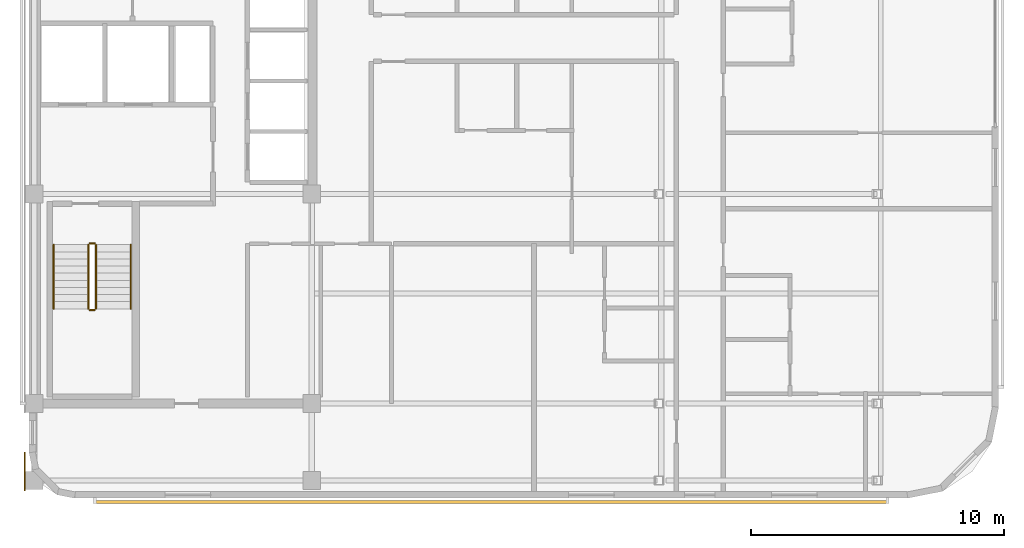
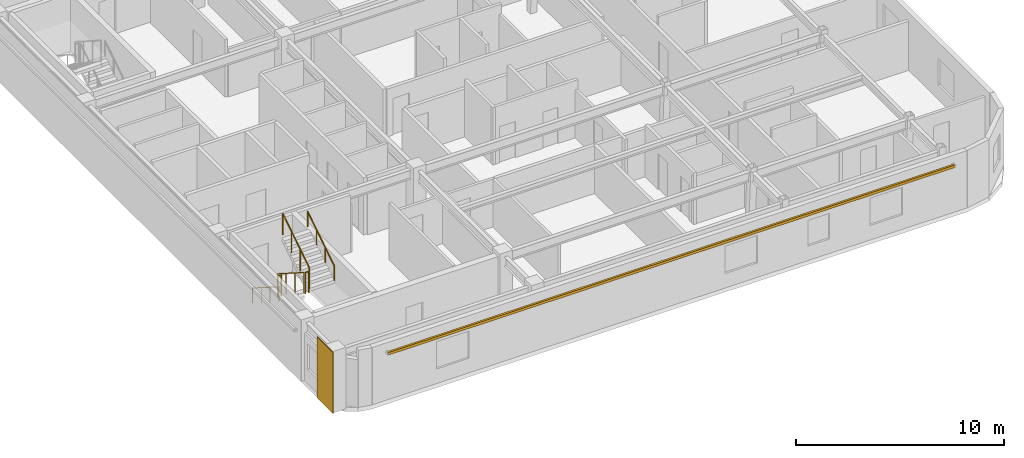
# One storey, part 8 of 10: 6 railings, 1 covering, 1 shading device.
"""IFC4 building model written with IfcOpenShell, lengths in metres."""

from ifc_helpers import new_model, si_unit, direction, frame, origin, origin_2d, place, context, subcontext, project, spatial, rectangle, circle, extrude, material, layer, layer_set, material_profile, profile_set, type_object, element, save


model = new_model("IFC4")

# Units and contexts
model_context = context("Model", 3, precision=1e-05, world=origin(), true_north=direction((0.0, 1.0)))
body_context = subcontext(model_context, "Body", "Model", "MODEL_VIEW")
ifc_project = project(units=[si_unit("LENGTHUNIT", "METRE"), si_unit("AREAUNIT", "SQUARE_METRE"), si_unit("VOLUMEUNIT", "CUBIC_METRE"), si_unit("PLANEANGLEUNIT", "RADIAN"), si_unit("MASSUNIT", "GRAM", prefix="KILO")], contexts=[model_context])

# Site, building, storey
site_placement = place(None, origin())
site = spatial("IfcSite", under=ifc_project, at=site_placement, CompositionType="ELEMENT")
building_placement = place(site_placement, origin())
building = spatial("IfcBuilding", under=site, at=building_placement, Name="Ochreholt Gables", CompositionType="ELEMENT")
storey_placement = place(building_placement, frame((0.0, 0.0, 256.800048828125)))
storey = spatial("IfcBuildingStorey", under=building, at=storey_placement, Name="L67", CompositionType="ELEMENT", Elevation=256.800048828125)

# Covering
ifc_material_1 = material(Name="Glazed Ochre Terracotta Rainscreen Cladding", Category="masonry")
ifc_layer = layer(ifc_material_1, 0.044921875, Name="Glazed Ochre Terracotta Rainscreen Cladding")
ifc_layer_set = layer_set([ifc_layer], Name="Glazed Ochre Terracotta Rainscreen Cladding")
covering_type = type_object("IfcCoveringType", Name="COV-CLAD-TC", PredefinedType="CLADDING", material=ifc_layer_set)
covering_placement = place(storey_placement, frame((23.827880859375, 6.56005859375, 0.010009765625), z_axis=(0.0, 0.0, 1.0), x_axis=(0.0, 1.0, 0.0)))
element("IfcCovering", 1, at=covering_placement, inside=storey, type_object=covering_type, Name="L67 South-West Pier Terracotta Cladding", PredefinedType="CLADDING", context=body_context, shape_type="SweptSolid", body=[
    extrude(rectangle(XDim=1.52001953125, YDim=0.044921875, at=origin_2d()), origin(), (0.0, 0.0, 1.0), 3.580078125),
])

# Railings
ifc_material_2 = material(Name="Painted Steel Stair Guardrail", Category="steel")
railing_type_1 = type_object("IfcRailingType", Name="RL-ST-GUARD", PredefinedType="GUARDRAIL", material=ifc_material_2)
railing_1_placement = place(storey_placement, frame((26.35009765625, 15.5400390625, 0.179931640625)))
element("IfcRailing", 2, at=railing_1_placement, inside=storey, type_object=railing_type_1, Name="L67 ST-1 stair guard 1", PredefinedType="GUARDRAIL", context=body_context, shape_type="SweptSolid", body=[
    extrude(circle(Radius=0.02392578125, at=origin_2d()), frame((0.0, 0.0, 1.22607421875), z_axis=(0.0, -0.842912820907, 0.538050161556), x_axis=(1.0, 0.0, 0.0)), (0.0, 0.0, 1.0), 3.010986328125),
    extrude(circle(Radius=0.02099609375, at=origin_2d()), origin(), (0.0, 0.0, 1.0), 1.201904296875),
    extrude(circle(Radius=0.02099609375, at=origin_2d()), frame((0.0, -0.845947265625, 0.5400390625)), (0.0, 0.0, 1.0), 1.201904296875),
    extrude(circle(Radius=0.02099609375, at=origin_2d()), frame((0.0, -1.692138671875, 1.080078125)), (0.0, 0.0, 1.0), 1.201904296875),
    extrude(circle(Radius=0.02099609375, at=origin_2d()), frame((0.0, -2.5380859375, 1.6201171875)), (0.0, 0.0, 1.0), 1.201904296875),
])
railing_2_placement = place(storey_placement, frame((26.39990234375, 12.951904296875, 1.800048828125)))
element("IfcRailing", 3, at=railing_2_placement, inside=storey, type_object=railing_type_1, Name="L67 ST-1 stair guard 2", PredefinedType="GUARDRAIL", context=body_context, shape_type="SweptSolid", body=[
    extrude(circle(Radius=0.02392578125, at=origin_2d()), frame((0.0, 0.0, 1.22607421875), z_axis=(1.0, 0.0, 0.0), x_axis=(0.0, 1.0, 0.0)), (0.0, 0.0, 1.0), 0.2001953125),
    extrude(circle(Radius=0.02099609375, at=origin_2d()), origin(), (0.0, 0.0, 1.0), 1.201904296875),
    extrude(circle(Radius=0.02099609375, at=origin_2d()), frame((0.2001953125, 0.0, 0.0)), (0.0, 0.0, 1.0), 1.201904296875),
])
railing_3_placement = place(storey_placement, frame((26.64990234375, 13.001953125, 1.97998046875)))
element("IfcRailing", 4, at=railing_3_placement, inside=storey, type_object=railing_type_1, Name="L67 ST-1 stair guard 3", PredefinedType="GUARDRAIL", context=body_context, shape_type="SweptSolid", body=[
    extrude(circle(Radius=0.02392578125, at=origin_2d()), frame((0.0, 0.0, 1.22607421875), z_axis=(0.0, 0.842949592929, 0.537992549931), x_axis=(-1.0, 0.0, 0.0)), (0.0, 0.0, 1.0), 3.010986328125),
    extrude(circle(Radius=0.02099609375, at=origin_2d()), origin(), (0.0, 0.0, 1.0), 1.201904296875),
    extrude(circle(Radius=0.02099609375, at=origin_2d()), frame((0.0, 0.845947265625, 0.5400390625)), (0.0, 0.0, 1.0), 1.201904296875),
    extrude(circle(Radius=0.02099609375, at=origin_2d()), frame((0.0, 1.692138671875, 1.079833984375)), (0.0, 0.0, 1.0), 1.201904296875),
    extrude(circle(Radius=0.02099609375, at=origin_2d()), frame((0.0, 2.5380859375, 1.619873046875)), (0.0, 0.0, 1.0), 1.201904296875),
])
railing_4_placement = place(storey_placement, frame((26.39990234375, 15.590087890625, 0.0)))
element("IfcRailing", 5, at=railing_4_placement, inside=storey, type_object=railing_type_1, Name="L67 ST-1 stair guard 4", PredefinedType="GUARDRAIL", context=body_context, shape_type="SweptSolid", body=[
    extrude(circle(Radius=0.02392578125, at=origin_2d()), frame((0.0, 0.0, 1.22607421875), z_axis=(1.0, 0.0, 0.0), x_axis=(0.0, 1.0, 0.0)), (0.0, 0.0, 1.0), 0.2001953125),
    extrude(circle(Radius=0.02099609375, at=origin_2d()), origin(), (0.0, 0.0, 1.0), 1.201904296875),
    extrude(circle(Radius=0.02099609375, at=origin_2d()), frame((0.2001953125, 0.0, 0.0)), (0.0, 0.0, 1.0), 1.201904296875),
])
ifc_material_3 = material(Name="Brushed Stainless Steel Wall Handrail", Category="steel")
railing_type_2 = type_object("IfcRailingType", Name="RL-ST-HAND", PredefinedType="HANDRAIL", material=ifc_material_3)
railing_5_placement = place(storey_placement, frame((24.969970703125, 15.5400390625, 0.179931640625)))
element("IfcRailing", 6, at=railing_5_placement, inside=storey, type_object=railing_type_2, Name="L67 ST-1 stair handrail 1", PredefinedType="HANDRAIL", context=body_context, shape_type="SweptSolid", body=[
    extrude(circle(Radius=0.02392578125, at=origin_2d()), frame((0.0, 0.0, 0.8759765625), z_axis=(0.0, -0.842912820907, 0.538050161556), x_axis=(1.0, 0.0, 0.0)), (0.0, 0.0, 1.0), 3.010986328125),
    extrude(circle(Radius=0.02099609375, at=origin_2d()), origin(), (0.0, 0.0, 1.0), 0.851806640625),
    extrude(circle(Radius=0.02099609375, at=origin_2d()), frame((0.0, -0.845947265625, 0.5400390625)), (0.0, 0.0, 1.0), 0.851806640625),
    extrude(circle(Radius=0.02099609375, at=origin_2d()), frame((0.0, -1.692138671875, 1.080078125)), (0.0, 0.0, 1.0), 0.851806640625),
    extrude(circle(Radius=0.02099609375, at=origin_2d()), frame((0.0, -2.5380859375, 1.6201171875)), (0.0, 0.0, 1.0), 0.851806640625),
])
railing_6_placement = place(storey_placement, frame((28.030029296875, 13.001953125, 1.97998046875)))
element("IfcRailing", 7, at=railing_6_placement, inside=storey, type_object=railing_type_2, Name="L67 ST-1 stair handrail 2", PredefinedType="HANDRAIL", context=body_context, shape_type="SweptSolid", body=[
    extrude(circle(Radius=0.02392578125, at=origin_2d()), frame((0.0, 0.0, 0.8759765625), z_axis=(0.0, 0.842949592929, 0.537992549931), x_axis=(-1.0, 0.0, 0.0)), (0.0, 0.0, 1.0), 3.010986328125),
    extrude(circle(Radius=0.02099609375, at=origin_2d()), origin(), (0.0, 0.0, 1.0), 0.851806640625),
    extrude(circle(Radius=0.02099609375, at=origin_2d()), frame((0.0, 0.845947265625, 0.5400390625)), (0.0, 0.0, 1.0), 0.851806640625),
    extrude(circle(Radius=0.02099609375, at=origin_2d()), frame((0.0, 1.692138671875, 1.079833984375)), (0.0, 0.0, 1.0), 0.851806640625),
    extrude(circle(Radius=0.02099609375, at=origin_2d()), frame((0.0, 2.5380859375, 1.619873046875)), (0.0, 0.0, 1.0), 0.851806640625),
])

# Shading device
ifc_material_4 = material(Name="Warm Ochre Glazed Terracotta Baguette", Category="masonry")
ifc_material_profile = material_profile(ifc_material_4, rectangle(XDim=0.110107421875, YDim=0.14990234375, at=origin_2d()), Name="TCBAG110X150")
ifc_profile_set = profile_set([ifc_material_profile], Name="Warm Ochre Glazed Terracotta Baguette")
shading_device_type = type_object("IfcShadingDeviceType", Name="SHD-BAGUETTE", PredefinedType="USERDEFINED", material=ifc_profile_set)
shading_device_placement = place(storey_placement, frame((26.60009765625, 5.35009765625, 2.83984375), z_axis=(1.0, 0.0, 0.0), x_axis=(0.0, 1.0, 0.0)))
element("IfcShadingDevice", 8, at=shading_device_placement, inside=storey, type_object=shading_device_type, Name="L67 Terracotta Baguette Screen S-1", ObjectType="BAGUETTE", PredefinedType="USERDEFINED", context=body_context, shape_type="SweptSolid", body=[
    extrude(rectangle(XDim=0.110107421875, YDim=0.14990234375, at=origin_2d()), origin(), (0.0, 0.0, 1.0), 31.39990234375),
])

save(model, "model.ifc")
